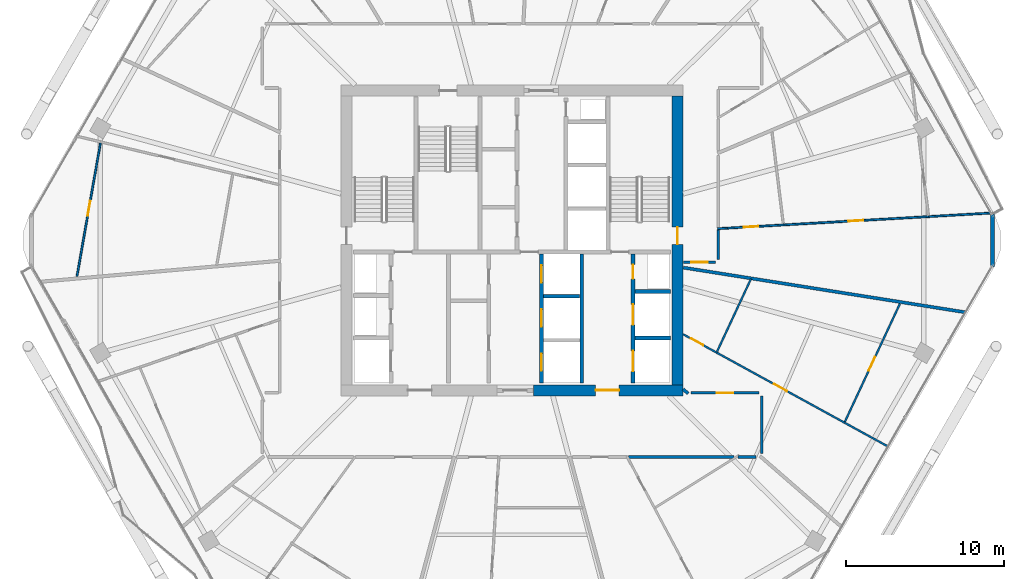
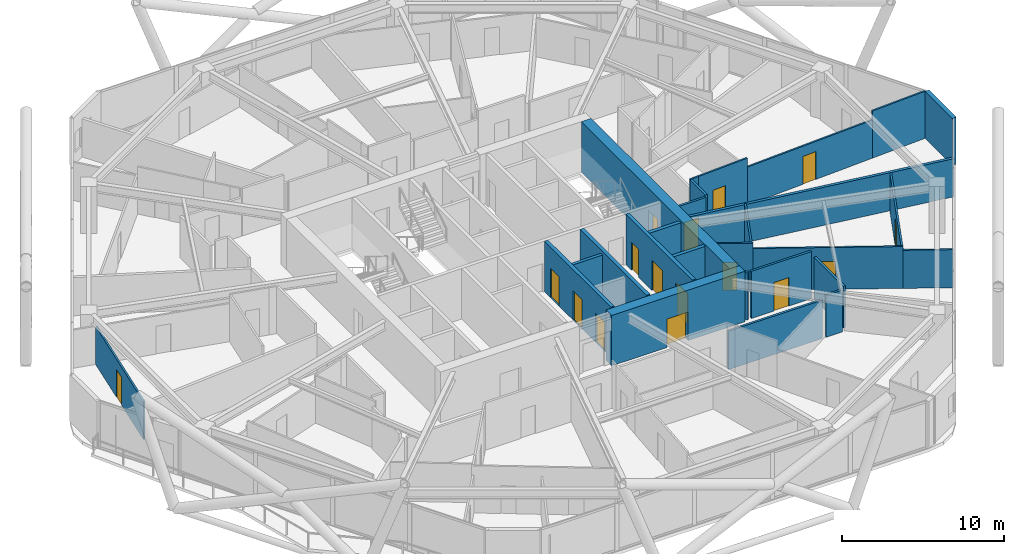
# One storey, part 22 of 28: 27 walls, 16 doors, 16 openings.
"""IFC4 building model written with IfcOpenShell, lengths in metres."""

from ifc_helpers import new_model, si_unit, direction, frame, frame_2d, origin, place, context, subcontext, project, spatial, rectangle, extrude, material, layer, layer_set, type_object, element, fill, save


model = new_model("IFC4")

# Units and contexts
model_context = context("Model", 3, precision=1e-05, world=origin(), true_north=direction((0.0, 1.0)))
body_context = subcontext(model_context, "Body", "Model", "MODEL_VIEW")
ifc_project = project(units=[si_unit("LENGTHUNIT", "METRE"), si_unit("AREAUNIT", "SQUARE_METRE"), si_unit("VOLUMEUNIT", "CUBIC_METRE"), si_unit("PLANEANGLEUNIT", "RADIAN"), si_unit("MASSUNIT", "GRAM", prefix="KILO")], contexts=[model_context])

# Site, building, storey
site_placement = place(None, origin())
site = spatial("IfcSite", under=ifc_project, at=site_placement, CompositionType="ELEMENT")
building_placement = place(site_placement, origin())
building = spatial("IfcBuilding", under=site, at=building_placement, Name="Zuhravey Tower", CompositionType="ELEMENT")
storey_placement = place(building_placement, frame((0.0, 0.0, 169.39990234375)))
storey = spatial("IfcBuildingStorey", under=building, at=storey_placement, Name="L42", CompositionType="ELEMENT", Elevation=169.39990234375)

# Wall, opening, door
ifc_material_1 = material(Name="Concrete C60/75", Category="concrete")
ifc_layer_1 = layer(ifc_material_1, 0.699951171875)
ifc_layer_set_1 = layer_set([ifc_layer_1], Name="Concrete C60/75")
wall_type_1 = type_object("IfcWallType", Name="Core Shear Wall 700", PredefinedType="SHEAR", material=ifc_layer_set_1)
wall_1_placement = place(storey_placement, frame((37.35009765625, 22.5, 0.0), z_axis=(0.0, 0.0, 1.0), x_axis=(1.0, 0.0, 0.0)))
wall_1 = element("IfcWall", 1, at=wall_1_placement, inside=storey, type_object=wall_type_1, Name="L42 South-East Core Shear Wall CW70", PredefinedType="SHEAR", context=body_context, shape_type="SweptSolid", body=[
    extrude(rectangle(XDim=9.5, YDim=0.699951171875, at=frame_2d((4.75, 0.0))), origin(), (0.0, 0.0, 1.0), 3.800048828125),
])
opening_1_placement = place(wall_1_placement, frame((3.949951171875, 0.0, 0.0)))
opening_1 = element("IfcOpeningElement", 2, at=opening_1_placement, cuts=wall_1, Name="Opening FFD1", PredefinedType="OPENING", context=body_context, shape_type="SweptSolid", body=[
    extrude(rectangle(XDim=1.5, YDim=2.14990234375, at=frame_2d((0.75, 1.074951171875))), frame((0.0, 0.362060546875, 0.0), z_axis=(0.0, -1.0, 0.0), x_axis=(1.0, 0.0, 0.0)), (0.0, 0.0, 1.0), 0.723876953125),
])
ifc_material_2 = material(Name="Galvanised fire-rated steel leaf", Category="steel")
door_type_1 = type_object("IfcDoorType", Name="Firefighting Lobby Double Door 1500x2150", OperationType="DOUBLE_DOOR_SINGLE_SWING", PredefinedType="DOOR", material=ifc_material_2)
door_1_placement = place(opening_1_placement, origin())
door_1 = element("IfcDoor", 3, at=door_1_placement, inside=storey, type_object=door_type_1, Name="L42 Firefighting Lobby East Door", OperationType="DOUBLE_DOOR_SINGLE_SWING", OverallHeight=2.14990234375, OverallWidth=1.5, PredefinedType="DOOR", context=body_context, shape_type="SweptSolid", body=[
    extrude(rectangle(XDim=1.5, YDim=2.14990234375, at=frame_2d((0.75, 1.074951171875))), frame((0.0, 0.02490234375, 0.0), z_axis=(0.0, -1.0, 0.0), x_axis=(1.0, 0.0, 0.0)), (0.0, 0.0, 1.0), 0.050048828125),
])
fill(opening_1, door_1)

wall_2_placement = place(storey_placement, frame((46.5, 22.85009765625, 0.0), z_axis=(0.0, 0.0, 1.0), x_axis=(0.0, 1.0, 0.0)))
wall_2 = element("IfcWall", 4, at=wall_2_placement, inside=storey, type_object=wall_type_1, Name="L42 East Core Shear Wall CW70", PredefinedType="SHEAR", context=body_context, shape_type="SweptSolid", body=[
    extrude(rectangle(XDim=18.2998046875, YDim=0.699951171875, at=frame_2d((9.14990234375, 0.0))), origin(), (0.0, 0.0, 1.0), 3.800048828125),
])
opening_2_placement = place(wall_2_placement, frame((8.89990234375, 0.0, 0.0)))
opening_2 = element("IfcOpeningElement", 5, at=opening_2_placement, cuts=wall_2, Name="Opening STD1", PredefinedType="OPENING", context=body_context, shape_type="SweptSolid", body=[
    extrude(rectangle(XDim=1.10009765625, YDim=2.14990234375, at=frame_2d((0.550048828125, 1.074951171875))), frame((0.0, 0.362060546875, 0.0), z_axis=(0.0, -1.0, 0.0), x_axis=(1.0, 0.0, 0.0)), (0.0, 0.0, 1.0), 0.723876953125),
])
door_type_2 = type_object("IfcDoorType", Name="Protected Stair Fire Door 1100x2150", OperationType="NOTDEFINED", PredefinedType="USERDEFINED", material=ifc_material_2)
door_2_placement = place(opening_2_placement, origin())
door_2 = element("IfcDoor", 6, at=door_2_placement, inside=storey, type_object=door_type_2, Name="L42 Stair ST2 Door", ObjectType="EXITDOOR", OperationType="SINGLE_SWING_LEFT", OverallHeight=2.14990234375, OverallWidth=1.10009765625, PredefinedType="USERDEFINED", context=body_context, shape_type="SweptSolid", body=[
    extrude(rectangle(XDim=1.10009765625, YDim=2.14990234375, at=frame_2d((0.550048828125, 1.074951171875))), frame((0.0, 0.02490234375, 0.0), z_axis=(0.0, -1.0, 0.0), x_axis=(1.0, 0.0, 0.0)), (0.0, 0.0, 1.0), 0.050048828125),
])
fill(opening_2, door_2)

ifc_material_3 = material(Name="Gypsum fire-rated stud partition")
ifc_layer_2 = layer(ifc_material_3, 0.159912109375)
ifc_layer_set_2 = layer_set([ifc_layer_2], Name="Gypsum fire-rated stud partition")
wall_type_2 = type_object("IfcWallType", Name="Corridor Fire Partition 160", PredefinedType="PARTITIONING", material=ifc_layer_set_2)
wall_3_placement = place(storey_placement, frame((51.64990234375, 22.330078125, 0.0), z_axis=(0.0, 0.0, 1.0), x_axis=(-1.0, 0.0, 0.0)))
wall_3 = element("IfcWall", 7, at=wall_3_placement, inside=storey, type_object=wall_type_2, Name="L42 IW16 Partition 062", PredefinedType="PARTITIONING", context=body_context, shape_type="SweptSolid", body=[
    extrude(rectangle(XDim=4.297119140625, YDim=0.159912109375, at=frame_2d((2.1484375, 0.0))), origin(), (0.0, 0.0, 1.0), 3.550048828125),
])
opening_3_placement = place(wall_3_placement, frame((1.62353515625, 0.0, 0.0)))
opening_3 = element("IfcOpeningElement", 8, at=opening_3_placement, cuts=wall_3, Name="Opening APD1", PredefinedType="OPENING", context=body_context, shape_type="SweptSolid", body=[
    extrude(rectangle(XDim=1.050048828125, YDim=2.14990234375, at=frame_2d((0.52490234375, 1.074951171875))), frame((0.0, 0.092041015625, 0.0), z_axis=(0.0, -1.0, 0.0), x_axis=(1.0, 0.0, 0.0)), (0.0, 0.0, 1.0), 0.183837890625),
])
ifc_material_4 = material(Name="Solid-core oak fire-rated leaf")
door_type_3 = type_object("IfcDoorType", Name="Apartment Entrance Fire Door 1050x2150", OperationType="NOTDEFINED", PredefinedType="DOOR", material=ifc_material_4)
door_3_placement = place(opening_3_placement, origin())
door_3 = element("IfcDoor", 9, at=door_3_placement, inside=storey, type_object=door_type_3, Name="L42 Door 062.1", OperationType="SINGLE_SWING_LEFT", OverallHeight=2.14990234375, OverallWidth=1.050048828125, PredefinedType="DOOR", context=body_context, shape_type="SweptSolid", body=[
    extrude(rectangle(XDim=1.050048828125, YDim=2.14990234375, at=frame_2d((0.52490234375, 1.074951171875))), frame((0.0, 0.02490234375, 0.0), z_axis=(0.0, -1.0, 0.0), x_axis=(1.0, 0.0, 0.0)), (0.0, 0.0, 1.0), 0.050048828125),
])
fill(opening_3, door_3)

wall_4_placement = place(storey_placement, frame((46.8701171875, 30.6201171875, 0.0), z_axis=(0.0, 0.0, 1.0), x_axis=(1.0, 0.0, 0.0)))
wall_4 = element("IfcWall", 10, at=wall_4_placement, inside=storey, type_object=wall_type_2, Name="L42 IW16 Partition 066", PredefinedType="PARTITIONING", context=body_context, shape_type="SweptSolid", body=[
    extrude(rectangle(XDim=2.02978515625, YDim=0.159912109375, at=frame_2d((1.014892578125, 0.0))), origin(), (0.0, 0.0, 1.0), 3.550048828125),
])
opening_4_placement = place(wall_4_placement, frame((0.489990234375, 0.0, 0.0)))
opening_4 = element("IfcOpeningElement", 11, at=opening_4_placement, cuts=wall_4, Name="Opening APD1", PredefinedType="OPENING", context=body_context, shape_type="SweptSolid", body=[
    extrude(rectangle(XDim=1.050048828125, YDim=2.14990234375, at=frame_2d((0.52490234375, 1.074951171875))), frame((0.0, 0.092041015625, 0.0), z_axis=(0.0, -1.0, 0.0), x_axis=(1.0, 0.0, 0.0)), (0.0, 0.0, 1.0), 0.183837890625),
])
door_4_placement = place(opening_4_placement, origin())
door_4 = element("IfcDoor", 12, at=door_4_placement, inside=storey, type_object=door_type_3, Name="L42 Door 066.1", OperationType="SINGLE_SWING_LEFT", OverallHeight=2.14990234375, OverallWidth=1.050048828125, PredefinedType="DOOR", context=body_context, shape_type="SweptSolid", body=[
    extrude(rectangle(XDim=1.050048828125, YDim=2.14990234375, at=frame_2d((0.52490234375, 1.074951171875))), frame((0.0, 0.02490234375, 0.0), z_axis=(0.0, -1.0, 0.0), x_axis=(1.0, 0.0, 0.0)), (0.0, 0.0, 1.0), 0.050048828125),
])
fill(opening_4, door_4)

# Walls
wall_5_placement = place(storey_placement, frame((43.3896484375, 18.27001953125, 0.0), z_axis=(0.0, 0.0, 1.0), x_axis=(1.0, 0.0, 0.0)))
element("IfcWall", 13, at=wall_5_placement, inside=storey, type_object=wall_type_2, Name="L42 IW16 Partition 139", PredefinedType="PARTITIONING", context=body_context, shape_type="SweptSolid", body=[
    extrude(rectangle(XDim=6.7001953125, YDim=0.159912109375, at=frame_2d((3.35009765625, 0.0))), origin(), (0.0, 0.0, 1.0), 2.900146484375),
])
wall_6_placement = place(storey_placement, frame((50.346435546875, 18.27001953125, 0.0), z_axis=(0.0, 0.0, 1.0), x_axis=(1.0, 0.0, 0.0)))
element("IfcWall", 14, at=wall_6_placement, inside=storey, type_object=wall_type_2, Name="L42 IW16 Partition 140", PredefinedType="PARTITIONING", context=body_context, shape_type="SweptSolid", body=[
    extrude(rectangle(XDim=1.142333984375, YDim=0.159912109375, at=frame_2d((0.5712890625, 0.0))), origin(), (0.0, 0.0, 1.0), 3.150146484375),
])
wall_7_placement = place(storey_placement, frame((51.830078125, 18.506103515625, 0.0), z_axis=(0.0, 0.0, 1.0), x_axis=(0.0, 1.0, 0.0)))
element("IfcWall", 15, at=wall_7_placement, inside=storey, type_object=wall_type_2, Name="L42 IW16 Partition 141", PredefinedType="PARTITIONING", context=body_context, shape_type="SweptSolid", body=[
    extrude(rectangle(XDim=3.643798828125, YDim=0.159912109375, at=frame_2d((1.82177734375, 0.0))), origin(), (0.0, 0.0, 1.0), 3.150146484375),
])
wall_8_placement = place(storey_placement, frame((49.080078125, 30.800048828125, 0.0), z_axis=(0.0, 0.0, 1.0), x_axis=(0.0, 1.0, 0.0)))
element("IfcWall", 16, at=wall_8_placement, inside=storey, type_object=wall_type_2, Name="L42 IW16 Partition 142", PredefinedType="PARTITIONING", context=body_context, shape_type="SweptSolid", body=[
    extrude(rectangle(XDim=1.88134765625, YDim=0.159912109375, at=frame_2d((0.940673828125, 0.0))), origin(), (0.0, 0.0, 1.0), 3.550048828125),
])
ifc_material_5 = material(Name="Precast concrete C40/50", Category="concrete")
ifc_layer_3 = layer(ifc_material_5, 0.280029296875)
ifc_layer_set_3 = layer_set([ifc_layer_3], Name="Precast concrete C40/50")
wall_type_3 = type_object("IfcWallType", Name="Crown Architectural Wall 280", PredefinedType="SOLIDWALL", material=ifc_layer_set_3)
wall_9_placement = place(storey_placement, frame((66.4716796875, 33.6826171875, 0.0), z_axis=(0.0, 0.0, 1.0), x_axis=(0.0, -1.0, 0.0)))
element("IfcWall", 17, at=wall_9_placement, inside=storey, type_object=wall_type_3, Name="L42 Rounded Corner Closure Wall EW28-12", PredefinedType="SOLIDWALL", context=body_context, shape_type="SweptSolid", body=[
    extrude(rectangle(XDim=3.365234375, YDim=0.280029296875, at=frame_2d((1.6826171875, 0.0))), origin(), (0.0, 0.0, 1.0), 3.550048828125),
])

# Wall, openings, doors
ifc_material_6 = material(Name="Concrete C50/60", Category="concrete")
ifc_layer_4 = layer(ifc_material_6, 0.25)
ifc_layer_set_4 = layer_set([ifc_layer_4], Name="Concrete C50/60")
wall_type_4 = type_object("IfcWallType", Name="Firefighting Shaft & Stair Wall 250", PredefinedType="SOLIDWALL", material=ifc_layer_set_4)
wall_10_placement = place(storey_placement, frame((37.875, 22.949951171875, 0.0), z_axis=(0.0, 0.0, 1.0), x_axis=(0.0, 1.0, 0.0)))
wall_10 = element("IfcWall", 18, at=wall_10_placement, inside=storey, type_object=wall_type_4, Name="L42 FW25 Shaft Wall 014", PredefinedType="SOLIDWALL", context=body_context, shape_type="SweptSolid", body=[
    extrude(rectangle(XDim=8.199951171875, YDim=0.25, at=frame_2d((4.10009765625, 0.0))), origin(), (0.0, 0.0, 1.0), 3.800048828125),
])
opening_5_placement = place(wall_10_placement, frame((0.77490234375, 0.0, 0.0)))
opening_5 = element("IfcOpeningElement", 19, at=opening_5_placement, cuts=wall_10, Name="Opening LD1", PredefinedType="OPENING", context=body_context, shape_type="SweptSolid", body=[
    extrude(rectangle(XDim=1.10009765625, YDim=2.199951171875, at=frame_2d((0.550048828125, 1.10009765625))), frame((0.0, 0.136962890625, 0.0), z_axis=(0.0, -1.0, 0.0), x_axis=(1.0, 0.0, 0.0)), (0.0, 0.0, 1.0), 0.27392578125),
])
opening_6_placement = place(wall_10_placement, frame((3.574951171875, 0.0, 0.0)))
opening_6 = element("IfcOpeningElement", 20, at=opening_6_placement, cuts=wall_10, Name="Opening LD1", PredefinedType="OPENING", context=body_context, shape_type="SweptSolid", body=[
    extrude(rectangle(XDim=1.10009765625, YDim=2.199951171875, at=frame_2d((0.550048828125, 1.10009765625))), frame((0.0, 0.136962890625, 0.0), z_axis=(0.0, -1.0, 0.0), x_axis=(1.0, 0.0, 0.0)), (0.0, 0.0, 1.0), 0.27392578125),
])
opening_7_placement = place(wall_10_placement, frame((6.375, 0.0, 0.0)))
opening_7 = element("IfcOpeningElement", 21, at=opening_7_placement, cuts=wall_10, Name="Opening LD1", PredefinedType="OPENING", context=body_context, shape_type="SweptSolid", body=[
    extrude(rectangle(XDim=1.10009765625, YDim=2.199951171875, at=frame_2d((0.550048828125, 1.10009765625))), frame((0.0, 0.136962890625, 0.0), z_axis=(0.0, -1.0, 0.0), x_axis=(1.0, 0.0, 0.0)), (0.0, 0.0, 1.0), 0.27392578125),
])
ifc_material_7 = material(Name="Brushed stainless steel", Category="steel")
door_type_4 = type_object("IfcDoorType", Name="Lift Landing Sliding Door 1100x2200", OperationType="DOUBLE_DOOR_SLIDING", PredefinedType="DOOR", material=ifc_material_7)
door_5_placement = place(opening_5_placement, origin())
door_5 = element("IfcDoor", 22, at=door_5_placement, inside=storey, type_object=door_type_4, Name="L42 Lift PL4 Landing Door", OperationType="DOUBLE_DOOR_SLIDING", OverallHeight=2.199951171875, OverallWidth=1.10009765625, PredefinedType="DOOR", context=body_context, shape_type="SweptSolid", body=[
    extrude(rectangle(XDim=1.10009765625, YDim=2.199951171875, at=frame_2d((0.550048828125, 1.10009765625))), frame((0.0, 0.02490234375, 0.0), z_axis=(0.0, -1.0, 0.0), x_axis=(1.0, 0.0, 0.0)), (0.0, 0.0, 1.0), 0.050048828125),
])
fill(opening_5, door_5)
door_6_placement = place(opening_6_placement, origin())
door_6 = element("IfcDoor", 23, at=door_6_placement, inside=storey, type_object=door_type_4, Name="L42 Lift PL5 Landing Door", OperationType="DOUBLE_DOOR_SLIDING", OverallHeight=2.199951171875, OverallWidth=1.10009765625, PredefinedType="DOOR", context=body_context, shape_type="SweptSolid", body=[
    extrude(rectangle(XDim=1.10009765625, YDim=2.199951171875, at=frame_2d((0.550048828125, 1.10009765625))), frame((0.0, 0.02490234375, 0.0), z_axis=(0.0, -1.0, 0.0), x_axis=(1.0, 0.0, 0.0)), (0.0, 0.0, 1.0), 0.050048828125),
])
fill(opening_6, door_6)
door_7_placement = place(opening_7_placement, origin())
door_7 = element("IfcDoor", 24, at=door_7_placement, inside=storey, type_object=door_type_4, Name="L42 Lift PL6 Landing Door", OperationType="DOUBLE_DOOR_SLIDING", OverallHeight=2.199951171875, OverallWidth=1.10009765625, PredefinedType="DOOR", context=body_context, shape_type="SweptSolid", body=[
    extrude(rectangle(XDim=1.10009765625, YDim=2.199951171875, at=frame_2d((0.550048828125, 1.10009765625))), frame((0.0, 0.02490234375, 0.0), z_axis=(0.0, -1.0, 0.0), x_axis=(1.0, 0.0, 0.0)), (0.0, 0.0, 1.0), 0.050048828125),
])
fill(opening_7, door_7)

# Walls
wall_11_placement = place(storey_placement, frame((40.425048828125, 22.949951171875, 0.0), z_axis=(0.0, 0.0, 1.0), x_axis=(0.0, 1.0, 0.0)))
element("IfcWall", 25, at=wall_11_placement, inside=storey, type_object=wall_type_4, Name="L42 FW25 Shaft Wall 015", PredefinedType="SOLIDWALL", context=body_context, shape_type="SweptSolid", body=[
    extrude(rectangle(XDim=8.199951171875, YDim=0.25, at=frame_2d((4.10009765625, 0.0))), origin(), (0.0, 0.0, 1.0), 3.800048828125),
])
for number, where, z_axis, x_axis, name in (
    (26, (43.800048828125, 25.824951171875, 0.0), (0.0, 0.0, 1.0), (1.0, 0.0, 0.0), "L42 FW25 Shaft Wall 016"),
    (27, (43.800048828125, 28.77490234375, 0.0), (0.0, 0.0, 1.0), (1.0, 0.0, 0.0), "L42 FW25 Shaft Wall 017"),
):
    element("IfcWall", number, at=place(storey_placement, frame(where, z_axis=z_axis, x_axis=x_axis)), inside=storey, type_object=wall_type_4, Name=name, PredefinedType="SOLIDWALL", context=body_context, shape_type="SweptSolid", body=[
        extrude(rectangle(XDim=2.25, YDim=0.25, at=frame_2d((1.125, 0.0))), origin(), (0.0, 0.0, 1.0), 3.800048828125),
    ])

# Wall, openings, doors
wall_12_placement = place(storey_placement, frame((43.675048828125, 22.949951171875, 0.0), z_axis=(0.0, 0.0, 1.0), x_axis=(0.0, 1.0, 0.0)))
wall_12 = element("IfcWall", 28, at=wall_12_placement, inside=storey, type_object=wall_type_4, Name="L42 FW25 Shaft Wall 018", PredefinedType="SOLIDWALL", context=body_context, shape_type="SweptSolid", body=[
    extrude(rectangle(XDim=8.199951171875, YDim=0.25, at=frame_2d((4.10009765625, 0.0))), origin(), (0.0, 0.0, 1.0), 3.800048828125),
])
opening_8_placement = place(wall_12_placement, frame((0.75, 0.0, 0.0)))
opening_8 = element("IfcOpeningElement", 29, at=opening_8_placement, cuts=wall_12, Name="Opening LD2", PredefinedType="OPENING", context=body_context, shape_type="SweptSolid", body=[
    extrude(rectangle(XDim=1.300048828125, YDim=2.300048828125, at=frame_2d((0.64990234375, 1.14990234375))), frame((0.0, 0.136962890625, 0.0), z_axis=(0.0, -1.0, 0.0), x_axis=(1.0, 0.0, 0.0)), (0.0, 0.0, 1.0), 0.27392578125),
])
opening_9_placement = place(wall_12_placement, frame((3.699951171875, 0.0, 0.0)))
opening_9 = element("IfcOpeningElement", 30, at=opening_9_placement, cuts=wall_12, Name="Opening LD2", PredefinedType="OPENING", context=body_context, shape_type="SweptSolid", body=[
    extrude(rectangle(XDim=1.300048828125, YDim=2.300048828125, at=frame_2d((0.64990234375, 1.14990234375))), frame((0.0, 0.136962890625, 0.0), z_axis=(0.0, -1.0, 0.0), x_axis=(1.0, 0.0, 0.0)), (0.0, 0.0, 1.0), 0.27392578125),
])
opening_10_placement = place(wall_12_placement, frame((6.6201171875, 0.0, 0.0)))
opening_10 = element("IfcOpeningElement", 31, at=opening_10_placement, cuts=wall_12, Name="Opening RSD1", PredefinedType="OPENING", context=body_context, shape_type="SweptSolid", body=[
    extrude(rectangle(XDim=0.89990234375, YDim=2.10009765625, at=frame_2d((0.449951171875, 1.050048828125))), frame((0.0, 0.136962890625, 0.0), z_axis=(0.0, -1.0, 0.0), x_axis=(1.0, 0.0, 0.0)), (0.0, 0.0, 1.0), 0.27392578125),
])
door_type_5 = type_object("IfcDoorType", Name="Freight & Stretcher Lift Sliding Door 1300x2300", OperationType="DOUBLE_DOOR_SLIDING", PredefinedType="DOOR", material=ifc_material_7)
door_8_placement = place(opening_8_placement, origin())
door_8 = element("IfcDoor", 32, at=door_8_placement, inside=storey, type_object=door_type_5, Name="L42 Lift FF2 Landing Door", OperationType="DOUBLE_DOOR_SLIDING", OverallHeight=2.300048828125, OverallWidth=1.300048828125, PredefinedType="DOOR", context=body_context, shape_type="SweptSolid", body=[
    extrude(rectangle(XDim=1.300048828125, YDim=2.300048828125, at=frame_2d((0.64990234375, 1.14990234375))), frame((0.0, 0.02490234375, 0.0), z_axis=(0.0, -1.0, 0.0), x_axis=(1.0, 0.0, 0.0)), (0.0, 0.0, 1.0), 0.050048828125),
])
fill(opening_8, door_8)
door_9_placement = place(opening_9_placement, origin())
door_9 = element("IfcDoor", 33, at=door_9_placement, inside=storey, type_object=door_type_5, Name="L42 Lift SV1 Landing Door", OperationType="DOUBLE_DOOR_SLIDING", OverallHeight=2.300048828125, OverallWidth=1.300048828125, PredefinedType="DOOR", context=body_context, shape_type="SweptSolid", body=[
    extrude(rectangle(XDim=1.300048828125, YDim=2.300048828125, at=frame_2d((0.64990234375, 1.14990234375))), frame((0.0, 0.02490234375, 0.0), z_axis=(0.0, -1.0, 0.0), x_axis=(1.0, 0.0, 0.0)), (0.0, 0.0, 1.0), 0.050048828125),
])
fill(opening_9, door_9)
ifc_material_8 = material(Name="Galvanised fire-rated steel access leaf", Category="steel")
door_type_6 = type_object("IfcDoorType", Name="Riser & Shaft Access Fire Door 900x2100", OperationType="NOTDEFINED", PredefinedType="DOOR", material=ifc_material_8)
door_10_placement = place(opening_10_placement, origin())
door_10 = element("IfcDoor", 34, at=door_10_placement, inside=storey, type_object=door_type_6, Name="L42 Plumbing Riser Door", OperationType="SINGLE_SWING_RIGHT", OverallHeight=2.10009765625, OverallWidth=0.89990234375, PredefinedType="DOOR", context=body_context, shape_type="SweptSolid", body=[
    extrude(rectangle(XDim=0.89990234375, YDim=2.10009765625, at=frame_2d((0.449951171875, 1.050048828125))), frame((0.0, 0.02490234375, 0.0), z_axis=(0.0, -1.0, 0.0), x_axis=(1.0, 0.0, 0.0)), (0.0, 0.0, 1.0), 0.050048828125),
])
fill(opening_10, door_10)

# Walls
ifc_material_9 = material(Name="Gypsum double-stud party assembly")
ifc_layer_5 = layer(ifc_material_9, 0.199951171875)
ifc_layer_set_5 = layer_set([ifc_layer_5], Name="Gypsum double-stud party assembly")
wall_type_5 = type_object("IfcWallType", Name="Inter-Tenancy Party Wall 200", PredefinedType="PARTITIONING", material=ifc_layer_set_5)
wall_13_placement = place(storey_placement, frame((46.85009765625, 22.568115234375, 0.0), z_axis=(0.0, 0.0, 1.0), x_axis=(0.754890568134, -0.655850768196, 0.0)))
element("IfcWall", 35, at=wall_13_placement, inside=storey, type_object=wall_type_5, Name="L42 IW20 Partition 114", PredefinedType="PARTITIONING", context=body_context, shape_type="SweptSolid", body=[
    extrude(rectangle(XDim=0.424072265625, YDim=0.199951171875, at=frame_2d((0.2119140625, 0.0))), origin(), (0.0, 0.0, 1.0), 3.550048828125),
])
wall_14_placement = place(storey_placement, frame((46.85791015625, 30.2802734375, 0.0), z_axis=(0.0, 0.0, 1.0), x_axis=(0.987688144009, -0.156435706229, 0.0)))
element("IfcWall", 36, at=wall_14_placement, inside=storey, type_object=wall_type_5, Name="L42 IW20 Partition 118", PredefinedType="PARTITIONING", context=body_context, shape_type="SweptSolid", body=[
    extrude(rectangle(XDim=18.123779296875, YDim=0.199951171875, at=frame_2d((9.06201171875, 0.0))), origin(), (0.0, 0.0, 1.0), 2.8701171875),
])
ifc_material_10 = material(Name="Gypsum acoustic stud assembly")
ifc_layer_6 = layer(ifc_material_10, 0.219970703125)
ifc_layer_set_6 = layer_set([ifc_layer_6], Name="Gypsum acoustic stud assembly")
wall_type_6 = type_object("IfcWallType", Name="School Acoustic Compartment Wall 220", PredefinedType="PARTITIONING", material=ifc_layer_set_6)
wall_15_placement = place(storey_placement, frame((38.008056640625, 28.47509765625, 0.0), z_axis=(0.0, 0.0, 1.0), x_axis=(1.0, 0.0, 0.0)))
element("IfcWall", 37, at=wall_15_placement, inside=storey, type_object=wall_type_6, Name="L42 IW22 Partition 074", PredefinedType="PARTITIONING", context=body_context, shape_type="SweptSolid", body=[
    extrude(rectangle(XDim=2.283935546875, YDim=0.219970703125, at=frame_2d((1.14208984375, 0.0))), origin(), (0.0, 0.0, 1.0), 3.550048828125),
])

# Wall, opening, door
ifc_material_11 = material(Name="Gypsum metal-stud partition")
ifc_layer_7 = layer(ifc_material_11, 0.1201171875)
ifc_layer_set_7 = layer_set([ifc_layer_7], Name="Gypsum metal-stud partition")
wall_type_7 = type_object("IfcWallType", Name="Unit Internal Partition 120", PredefinedType="PARTITIONING", material=ifc_layer_set_7)
wall_16_placement = place(storey_placement, frame((9.903564453125, 38.185791015625, 0.0), z_axis=(0.0, 0.0, 1.0), x_axis=(-0.173644236595, -0.984808447921, 0.0)))
wall_16 = element("IfcWall", 38, at=wall_16_placement, inside=storey, type_object=wall_type_7, Name="L42 IW12 Partition 040", PredefinedType="PARTITIONING", context=body_context, shape_type="SweptSolid", body=[
    extrude(rectangle(XDim=8.587646484375, YDim=0.1201171875, at=frame_2d((4.2939453125, 0.0))), origin(), (0.0, 0.0, 1.0), 2.8701171875),
])
opening_11_placement = place(wall_16_placement, frame((3.734619140625, 0.0, 0.0)))
opening_11 = element("IfcOpeningElement", 39, at=opening_11_placement, cuts=wall_16, Name="Opening IND1", PredefinedType="OPENING", context=body_context, shape_type="SweptSolid", body=[
    extrude(rectangle(XDim=0.949951171875, YDim=2.10009765625, at=frame_2d((0.47509765625, 1.050048828125))), frame((0.0, 0.072021484375, 0.0), z_axis=(0.0, -1.0, 0.0), x_axis=(1.0, 0.0, 0.0)), (0.0, 0.0, 1.0), 0.14404296875),
])
ifc_material_12 = material(Name="Painted engineered timber leaf", Category="wood")
door_type_7 = type_object("IfcDoorType", Name="Internal Room & Bedroom Door 950x2100", OperationType="NOTDEFINED", PredefinedType="DOOR", material=ifc_material_12)
door_11_placement = place(opening_11_placement, frame((0.949951171875, 0.0, 0.0), z_axis=(0.0, 0.0, 1.0), x_axis=(-1.0, 0.0, 0.0)))
door_11 = element("IfcDoor", 40, at=door_11_placement, inside=storey, type_object=door_type_7, Name="Apartment L42-05 Kitchen Door", OperationType="SINGLE_SWING_LEFT", OverallHeight=2.10009765625, OverallWidth=0.949951171875, PredefinedType="DOOR", context=body_context, shape_type="SweptSolid", body=[
    extrude(rectangle(XDim=0.949951171875, YDim=2.10009765625, at=frame_2d((0.47509765625, 1.050048828125))), frame((0.0, 0.02490234375, 0.0), z_axis=(0.0, -1.0, 0.0), x_axis=(1.0, 0.0, 0.0)), (0.0, 0.0, 1.0), 0.050048828125),
])
fill(opening_11, door_11)

wall_17_placement = place(storey_placement, frame((46.85791015625, 26.050537109375, 0.0), z_axis=(0.0, 0.0, 1.0), x_axis=(0.876994813325, -0.480499841209, 0.0)))
wall_17 = element("IfcWall", 41, at=wall_17_placement, inside=storey, type_object=wall_type_7, Name="L42 IW12 Partition 059", PredefinedType="PARTITIONING", context=body_context, shape_type="SweptSolid", body=[
    extrude(rectangle(XDim=2.4384765625, YDim=0.1201171875, at=frame_2d((1.21923828125, 0.0))), origin(), (0.0, 0.0, 1.0), 3.550048828125),
])
opening_12_placement = place(wall_17_placement, frame((0.55224609375, 0.0, 0.0)))
opening_12 = element("IfcOpeningElement", 42, at=opening_12_placement, cuts=wall_17, Name="Opening WCD1", PredefinedType="OPENING", context=body_context, shape_type="SweptSolid", body=[
    extrude(rectangle(XDim=0.89990234375, YDim=2.10009765625, at=frame_2d((0.449951171875, 1.050048828125))), frame((0.0, 0.072021484375, 0.0), z_axis=(0.0, -1.0, 0.0), x_axis=(1.0, 0.0, 0.0)), (0.0, 0.0, 1.0), 0.14404296875),
])
ifc_material_13 = material(Name="Moisture-resistant timber leaf", Category="wood")
door_type_8 = type_object("IfcDoorType", Name="Bathroom & WC Internal Door 900x2100", OperationType="NOTDEFINED", PredefinedType="DOOR", material=ifc_material_13)
door_12_placement = place(opening_12_placement, origin())
door_12 = element("IfcDoor", 43, at=door_12_placement, inside=storey, type_object=door_type_8, Name="Apartment L42-10 Bathroom Door", OperationType="SINGLE_SWING_RIGHT", OverallHeight=2.10009765625, OverallWidth=0.89990234375, PredefinedType="DOOR", context=body_context, shape_type="SweptSolid", body=[
    extrude(rectangle(XDim=0.89990234375, YDim=2.10009765625, at=frame_2d((0.449951171875, 1.050048828125))), frame((0.0, 0.02490234375, 0.0), z_axis=(0.0, -1.0, 0.0), x_axis=(1.0, 0.0, 0.0)), (0.0, 0.0, 1.0), 0.050048828125),
])
fill(opening_12, door_12)

wall_18_placement = place(storey_placement, frame((48.996337890625, 24.87890625, 0.0), z_axis=(0.0, 0.0, 1.0), x_axis=(0.876975739836, -0.480534651965, 0.0)))
wall_18 = element("IfcWall", 44, at=wall_18_placement, inside=storey, type_object=wall_type_7, Name="L42 IW12 Partition 060", PredefinedType="PARTITIONING", context=body_context, shape_type="SweptSolid", body=[
    extrude(rectangle(XDim=9.24658203125, YDim=0.1201171875, at=frame_2d((4.623291015625, 0.0))), origin(), (0.0, 0.0, 1.0), 3.150146484375),
])
opening_13_placement = place(wall_18_placement, frame((4.123291015625, 0.0, 0.0)))
opening_13 = element("IfcOpeningElement", 45, at=opening_13_placement, cuts=wall_18, Name="Opening IND1", PredefinedType="OPENING", context=body_context, shape_type="SweptSolid", body=[
    extrude(rectangle(XDim=0.949951171875, YDim=2.10009765625, at=frame_2d((0.47509765625, 1.050048828125))), frame((0.0, 0.072021484375, 0.0), z_axis=(0.0, -1.0, 0.0), x_axis=(1.0, 0.0, 0.0)), (0.0, 0.0, 1.0), 0.14404296875),
])
door_13_placement = place(opening_13_placement, origin())
door_13 = element("IfcDoor", 46, at=door_13_placement, inside=storey, type_object=door_type_7, Name="Apartment L42-10 Home Office Door", OperationType="SINGLE_SWING_LEFT", OverallHeight=2.10009765625, OverallWidth=0.949951171875, PredefinedType="DOOR", context=body_context, shape_type="SweptSolid", body=[
    extrude(rectangle(XDim=0.949951171875, YDim=2.10009765625, at=frame_2d((0.47509765625, 1.050048828125))), frame((0.0, 0.02490234375, 0.0), z_axis=(0.0, -1.0, 0.0), x_axis=(1.0, 0.0, 0.0)), (0.0, 0.0, 1.0), 0.050048828125),
])
fill(opening_13, door_13)

wall_19_placement = place(storey_placement, frame((57.1123046875, 20.50927734375, 0.0), z_axis=(0.0, 0.0, 1.0), x_axis=(0.422622958653, 0.906305596815, 0.0)))
wall_19 = element("IfcWall", 47, at=wall_19_placement, inside=storey, type_object=wall_type_7, Name="L42 IW12 Partition 061", PredefinedType="PARTITIONING", context=body_context, shape_type="SweptSolid", body=[
    extrude(rectangle(XDim=8.248779296875, YDim=0.1201171875, at=frame_2d((4.12451171875, 0.0))), origin(), (0.0, 0.0, 1.0), 2.900146484375),
])
opening_14_placement = place(wall_19_placement, frame((3.565185546875, 0.0, 0.0)))
opening_14 = element("IfcOpeningElement", 48, at=opening_14_placement, cuts=wall_19, Name="Opening IND1", PredefinedType="OPENING", context=body_context, shape_type="SweptSolid", body=[
    extrude(rectangle(XDim=0.949951171875, YDim=2.10009765625, at=frame_2d((0.47509765625, 1.050048828125))), frame((0.0, 0.072021484375, 0.0), z_axis=(0.0, -1.0, 0.0), x_axis=(1.0, 0.0, 0.0)), (0.0, 0.0, 1.0), 0.14404296875),
])
door_14_placement = place(opening_14_placement, frame((0.949951171875, 0.0, 0.0), z_axis=(0.0, 0.0, 1.0), x_axis=(-1.0, 0.0, 0.0)))
door_14 = element("IfcDoor", 49, at=door_14_placement, inside=storey, type_object=door_type_7, Name="Apartment L42-10 Kitchen Door", OperationType="SINGLE_SWING_RIGHT", OverallHeight=2.10009765625, OverallWidth=0.949951171875, PredefinedType="DOOR", context=body_context, shape_type="SweptSolid", body=[
    extrude(rectangle(XDim=0.949951171875, YDim=2.10009765625, at=frame_2d((0.47509765625, 1.050048828125))), frame((0.0, 0.02490234375, 0.0), z_axis=(0.0, -1.0, 0.0), x_axis=(1.0, 0.0, 0.0)), (0.0, 0.0, 1.0), 0.050048828125),
])
fill(opening_14, door_14)

wall_20_placement = place(storey_placement, frame((49.64990234375, 32.7822265625, 0.0), z_axis=(0.0, 0.0, 1.0), x_axis=(0.998362032919, 0.057212334562, 0.0)))
wall_20 = element("IfcWall", 50, at=wall_20_placement, inside=storey, type_object=wall_type_7, Name="L42 IW12 Partition 063", PredefinedType="PARTITIONING", context=body_context, shape_type="SweptSolid", body=[
    extrude(rectangle(XDim=3.593017578125, YDim=0.1201171875, at=frame_2d((1.79638671875, 0.0))), origin(), (0.0, 0.0, 1.0), 3.550048828125),
])
opening_15_placement = place(wall_20_placement, frame((1.05908203125, 0.0, 0.0)))
opening_15 = element("IfcOpeningElement", 51, at=opening_15_placement, cuts=wall_20, Name="Opening WCD1", PredefinedType="OPENING", context=body_context, shape_type="SweptSolid", body=[
    extrude(rectangle(XDim=0.89990234375, YDim=2.10009765625, at=frame_2d((0.449951171875, 1.050048828125))), frame((0.0, 0.072021484375, 0.0), z_axis=(0.0, -1.0, 0.0), x_axis=(1.0, 0.0, 0.0)), (0.0, 0.0, 1.0), 0.14404296875),
])
door_15_placement = place(opening_15_placement, origin())
door_15 = element("IfcDoor", 52, at=door_15_placement, inside=storey, type_object=door_type_8, Name="Apartment L42-11 Bathroom Door", OperationType="SINGLE_SWING_RIGHT", OverallHeight=2.10009765625, OverallWidth=0.89990234375, PredefinedType="DOOR", context=body_context, shape_type="SweptSolid", body=[
    extrude(rectangle(XDim=0.89990234375, YDim=2.10009765625, at=frame_2d((0.449951171875, 1.050048828125))), frame((0.0, 0.02490234375, 0.0), z_axis=(0.0, -1.0, 0.0), x_axis=(1.0, 0.0, 0.0)), (0.0, 0.0, 1.0), 0.050048828125),
])
fill(opening_15, door_15)

wall_21_placement = place(storey_placement, frame((53.237060546875, 32.98779296875, 0.0), z_axis=(0.0, 0.0, 1.0), x_axis=(0.998361191425, 0.057227016835, 0.0)))
wall_21 = element("IfcWall", 53, at=wall_21_placement, inside=storey, type_object=wall_type_7, Name="L42 IW12 Partition 064", PredefinedType="PARTITIONING", context=body_context, shape_type="SweptSolid", body=[
    extrude(rectangle(XDim=9.21923828125, YDim=0.1201171875, at=frame_2d((4.609619140625, 0.0))), origin(), (0.0, 0.0, 1.0), 2.8701171875),
])
opening_16_placement = place(wall_21_placement, frame((4.109619140625, 0.0, 0.0)))
opening_16 = element("IfcOpeningElement", 54, at=opening_16_placement, cuts=wall_21, Name="Opening IND1", PredefinedType="OPENING", context=body_context, shape_type="SweptSolid", body=[
    extrude(rectangle(XDim=0.949951171875, YDim=2.10009765625, at=frame_2d((0.47509765625, 1.050048828125))), frame((0.0, 0.072021484375, 0.0), z_axis=(0.0, -1.0, 0.0), x_axis=(1.0, 0.0, 0.0)), (0.0, 0.0, 1.0), 0.14404296875),
])
door_16_placement = place(opening_16_placement, origin())
door_16 = element("IfcDoor", 55, at=door_16_placement, inside=storey, type_object=door_type_7, Name="Apartment L42-11 Home Office Door", OperationType="SINGLE_SWING_LEFT", OverallHeight=2.10009765625, OverallWidth=0.949951171875, PredefinedType="DOOR", context=body_context, shape_type="SweptSolid", body=[
    extrude(rectangle(XDim=0.949951171875, YDim=2.10009765625, at=frame_2d((0.47509765625, 1.050048828125))), frame((0.0, 0.02490234375, 0.0), z_axis=(0.0, -1.0, 0.0), x_axis=(1.0, 0.0, 0.0)), (0.0, 0.0, 1.0), 0.050048828125),
])
fill(opening_16, door_16)

# Walls
wall_22_placement = place(storey_placement, frame((57.10546875, 20.435546875, 0.0), z_axis=(0.0, 0.0, 1.0), x_axis=(0.876987451506, -0.480513277549, 0.0)))
element("IfcWall", 56, at=wall_22_placement, inside=storey, type_object=wall_type_7, Name="L42 IW12 Partition 116", PredefinedType="PARTITIONING", context=body_context, shape_type="SweptSolid", body=[
    extrude(rectangle(XDim=3.128662109375, YDim=0.1201171875, at=frame_2d((1.564453125, 0.0))), origin(), (0.0, 0.0, 1.0), 2.8701171875),
])
wall_23_placement = place(storey_placement, frame((49.00341796875, 24.95263671875, 0.0), z_axis=(0.0, 0.0, 1.0), x_axis=(0.422601835676, 0.906315446455, 0.0)))
element("IfcWall", 57, at=wall_23_placement, inside=storey, type_object=wall_type_7, Name="L42 IW12 Partition 117", PredefinedType="PARTITIONING", context=body_context, shape_type="SweptSolid", body=[
    extrude(rectangle(XDim=5.089599609375, YDim=0.1201171875, at=frame_2d((2.544921875, 0.0))), origin(), (0.0, 0.0, 1.0), 2.900146484375),
])
wall_24_placement = place(storey_placement, frame((49.034912109375, 32.7470703125, 0.0), z_axis=(0.0, 0.0, 1.0), x_axis=(0.998370044223, 0.057072364576, 0.0)))
element("IfcWall", 58, at=wall_24_placement, inside=storey, type_object=wall_type_7, Name="L42 IW12 Partition 119", PredefinedType="PARTITIONING", context=body_context, shape_type="SweptSolid", body=[
    extrude(rectangle(XDim=0.615966796875, YDim=0.1201171875, at=frame_2d((0.30810546875, 0.0))), origin(), (0.0, 0.0, 1.0), 3.550048828125),
])
wall_25_placement = place(storey_placement, frame((62.441162109375, 33.515380859375, 0.0), z_axis=(0.0, 0.0, 1.0), x_axis=(0.998361464493, 0.057222252793, 0.0)))
element("IfcWall", 59, at=wall_25_placement, inside=storey, type_object=wall_type_7, Name="L42 IW12 Partition 120", PredefinedType="PARTITIONING", context=body_context, shape_type="SweptSolid", body=[
    extrude(rectangle(XDim=3.950927734375, YDim=0.1201171875, at=frame_2d((1.9755859375, 0.0))), origin(), (0.0, 0.0, 1.0), 3.550048828125),
])

save(model, "model.ifc")
